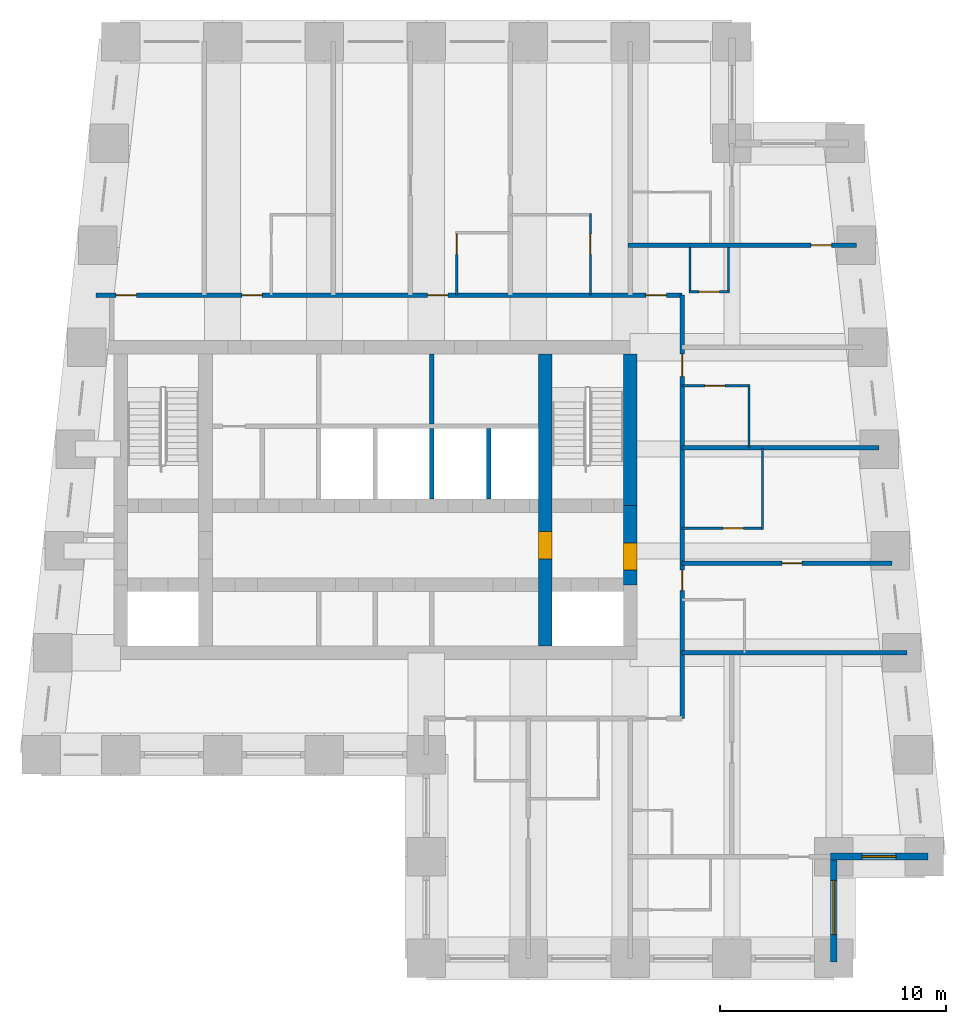
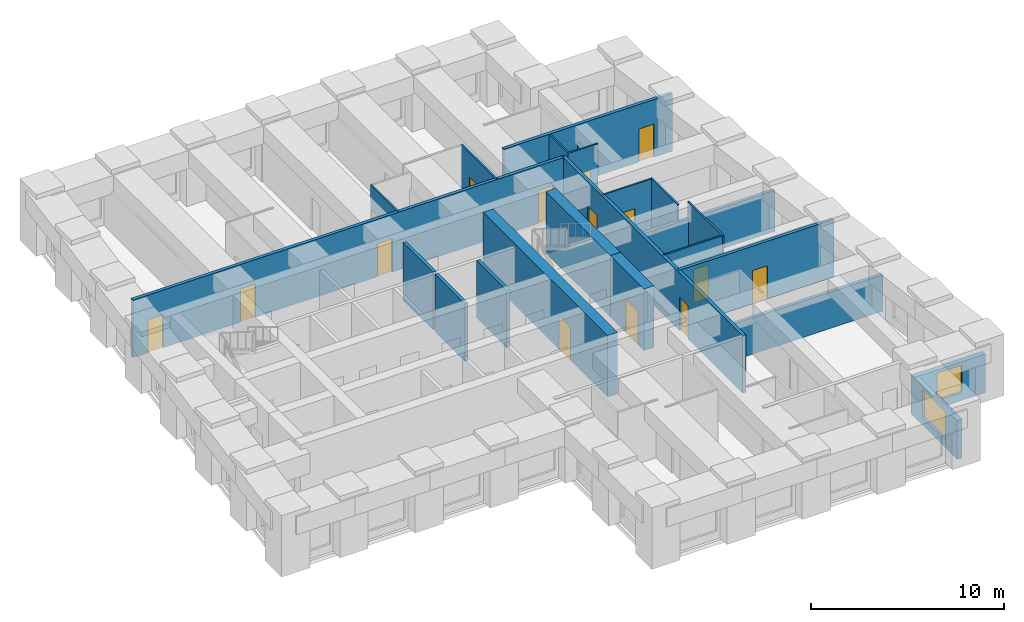
# One storey, part 4 of 7: 23 walls, 15 doors, 2 windows, 17 openings.
"""IFC4 building model written with IfcOpenShell, lengths in metres."""

from ifc_helpers import new_model, si_unit, direction, frame, frame_2d, origin, place, context, subcontext, project, spatial, rectangle, extrude, material, layer, layer_set, type_object, element, fill, save


model = new_model("IFC4")

# Units and contexts
model_context = context("Model", 3, precision=1e-05, world=origin(), true_north=direction((0.0, 1.0)))
body_context = subcontext(model_context, "Body", "Model", "MODEL_VIEW")
ifc_project = project(units=[si_unit("LENGTHUNIT", "METRE"), si_unit("AREAUNIT", "SQUARE_METRE"), si_unit("VOLUMEUNIT", "CUBIC_METRE"), si_unit("PLANEANGLEUNIT", "RADIAN"), si_unit("MASSUNIT", "GRAM", prefix="KILO")], contexts=[model_context])

# Site, building, storey
site_placement = place(None, origin())
site = spatial("IfcSite", under=ifc_project, at=site_placement, CompositionType="ELEMENT")
building_placement = place(site_placement, origin())
building = spatial("IfcBuilding", under=site, at=building_placement, Name="Kilele Tower Hotel", CompositionType="ELEMENT")
storey_placement = place(building_placement, frame((0.0, 0.0, 240.800048828125)))
storey = spatial("IfcBuildingStorey", under=building, at=storey_placement, Name="L62", CompositionType="ELEMENT", Elevation=240.800048828125)

# Wall
ifc_material_1 = material(Name="Moisture-resistant board")
ifc_layer_1 = layer(ifc_material_1, 0.10009765625)
ifc_layer_set_1 = layer_set([ifc_layer_1], Name="Moisture-resistant board")
wall_type_1 = type_object("IfcWallType", Name="Bathroom partition 100", PredefinedType="PLUMBINGWALL", material=ifc_layer_set_1)
wall_1_placement = place(storey_placement, frame((41.85009765625, 18.949951171875, 0.0), z_axis=(0.0, 0.0, 1.0), x_axis=(0.0, 1.0, 0.0)))
element("IfcWall", 1, at=wall_1_placement, inside=storey, type_object=wall_type_1, Name="Bathroom partition 100 L62", PredefinedType="PLUMBINGWALL", context=body_context, shape_type="SweptSolid", body=[
    extrude(rectangle(XDim=3.60009765625, YDim=0.10009765625, at=frame_2d((1.800048828125, 0.0))), origin(), (0.0, 0.0, 1.0), 3.64990234375),
])

# Wall, opening, door
wall_2_placement = place(storey_placement, frame((38.300048828125, 19.0, 0.0), z_axis=(0.0, 0.0, 1.0), x_axis=(1.0, 0.0, 0.0)))
wall_2 = element("IfcWall", 2, at=wall_2_placement, inside=storey, type_object=wall_type_1, Name="Bathroom partition 100 L62", PredefinedType="PLUMBINGWALL", context=body_context, shape_type="SweptSolid", body=[
    extrude(rectangle(XDim=3.599853515625, YDim=0.10009765625, at=frame_2d((1.7998046875, 0.0))), origin(), (0.0, 0.0, 1.0), 3.64990234375),
])
opening_1_placement = place(wall_2_placement, frame((2.699951171875, 0.0, 0.0), z_axis=(0.0, 0.0, 1.0), x_axis=(-1.0, 0.0, 0.0)))
opening_1 = element("IfcOpeningElement", 3, at=opening_1_placement, cuts=wall_2, Name="Opening D2A", PredefinedType="OPENING", context=body_context, shape_type="SweptSolid", body=[
    extrude(rectangle(XDim=0.89990234375, YDim=2.10009765625, at=frame_2d((0.449951171875, 1.050048828125))), frame((0.0, 0.06005859375, 0.0), z_axis=(0.0, -1.0, 0.0), x_axis=(1.0, 0.0, 0.0)), (0.0, 0.0, 1.0), 0.1201171875),
])
ifc_material_2 = material(Name="Timber door leaf in hardwood frame", Category="wood")
door_type_1 = type_object("IfcDoorType", Name="Bathroom door 900", OperationType="SINGLE_SWING_LEFT", PredefinedType="DOOR", material=ifc_material_2)
door_1_placement = place(opening_1_placement, origin())
door_1 = element("IfcDoor", 4, at=door_1_placement, inside=storey, type_object=door_type_1, Name="Bathroom door 6205B", OperationType="SINGLE_SWING_LEFT", OverallHeight=2.10009765625, OverallWidth=0.89990234375, PredefinedType="DOOR", context=body_context, shape_type="SweptSolid", body=[
    extrude(rectangle(XDim=0.89990234375, YDim=2.10009765625, at=frame_2d((0.449951171875, 1.050048828125))), frame((0.0, 0.02490234375, 0.0), z_axis=(0.0, -1.0, 0.0), x_axis=(1.0, 0.0, 0.0)), (0.0, 0.0, 1.0), 0.050048828125),
])
fill(opening_1, door_1)

# Wall
wall_3_placement = place(storey_placement, frame((41.25, 22.550048828125, 0.0), z_axis=(0.0, 0.0, 1.0), x_axis=(0.0, 1.0, 0.0)))
element("IfcWall", 5, at=wall_3_placement, inside=storey, type_object=wall_type_1, Name="Bathroom partition 100 L62", PredefinedType="PLUMBINGWALL", context=body_context, shape_type="SweptSolid", body=[
    extrude(rectangle(XDim=2.800048828125, YDim=0.10009765625, at=frame_2d((1.39990234375, 0.0))), origin(), (0.0, 0.0, 1.0), 3.64990234375),
])

# Wall, opening, door
wall_4_placement = place(storey_placement, frame((38.300048828125, 25.300048828125, 0.0), z_axis=(0.0, 0.0, 1.0), x_axis=(1.0, 0.0, 0.0)))
wall_4 = element("IfcWall", 6, at=wall_4_placement, inside=storey, type_object=wall_type_1, Name="Bathroom partition 100 L62", PredefinedType="PLUMBINGWALL", context=body_context, shape_type="SweptSolid", body=[
    extrude(rectangle(XDim=3.0, YDim=0.10009765625, at=frame_2d((1.5, 0.0))), origin(), (0.0, 0.0, 1.0), 3.64990234375),
])
opening_2_placement = place(wall_4_placement, frame((1.0, 0.0, 0.0)))
opening_2 = element("IfcOpeningElement", 7, at=opening_2_placement, cuts=wall_4, Name="Opening D2A", PredefinedType="OPENING", context=body_context, shape_type="SweptSolid", body=[
    extrude(rectangle(XDim=0.89990234375, YDim=2.10009765625, at=frame_2d((0.449951171875, 1.050048828125))), frame((0.0, 0.06005859375, 0.0), z_axis=(0.0, -1.0, 0.0), x_axis=(1.0, 0.0, 0.0)), (0.0, 0.0, 1.0), 0.1201171875),
])
door_2_placement = place(opening_2_placement, origin())
door_2 = element("IfcDoor", 8, at=door_2_placement, inside=storey, type_object=door_type_1, Name="Bathroom door 6206B", OperationType="SINGLE_SWING_LEFT", OverallHeight=2.10009765625, OverallWidth=0.89990234375, PredefinedType="DOOR", context=body_context, shape_type="SweptSolid", body=[
    extrude(rectangle(XDim=0.89990234375, YDim=2.10009765625, at=frame_2d((0.449951171875, 1.050048828125))), frame((0.0, 0.02490234375, 0.0), z_axis=(0.0, -1.0, 0.0), x_axis=(1.0, 0.0, 0.0)), (0.0, 0.0, 1.0), 0.050048828125),
])
fill(opening_2, door_2)

wall_5_placement = place(storey_placement, frame((28.35009765625, 29.300048828125, 0.0), z_axis=(0.0, 0.0, 1.0), x_axis=(0.0, 1.0, 0.0)))
wall_5 = element("IfcWall", 9, at=wall_5_placement, inside=storey, type_object=wall_type_1, Name="Bathroom partition 100 L62", PredefinedType="PLUMBINGWALL", context=body_context, shape_type="SweptSolid", body=[
    extrude(rectangle(XDim=2.800048828125, YDim=0.10009765625, at=frame_2d((1.39990234375, 0.0))), origin(), (0.0, 0.0, 1.0), 3.64990234375),
])
opening_3_placement = place(wall_5_placement, frame((1.800048828125, 0.0, 0.0)))
opening_3 = element("IfcOpeningElement", 10, at=opening_3_placement, cuts=wall_5, Name="Opening D2A", PredefinedType="OPENING", context=body_context, shape_type="SweptSolid", body=[
    extrude(rectangle(XDim=0.89990234375, YDim=2.10009765625, at=frame_2d((0.449951171875, 1.050048828125))), frame((0.0, 0.06005859375, 0.0), z_axis=(0.0, -1.0, 0.0), x_axis=(1.0, 0.0, 0.0)), (0.0, 0.0, 1.0), 0.1201171875),
])
door_3_placement = place(opening_3_placement, origin())
door_3 = element("IfcDoor", 11, at=door_3_placement, inside=storey, type_object=door_type_1, Name="Bathroom door 6210B", OperationType="SINGLE_SWING_RIGHT", OverallHeight=2.10009765625, OverallWidth=0.89990234375, PredefinedType="DOOR", context=body_context, shape_type="SweptSolid", body=[
    extrude(rectangle(XDim=0.89990234375, YDim=2.10009765625, at=frame_2d((0.449951171875, 1.050048828125))), frame((0.0, 0.02490234375, 0.0), z_axis=(0.0, -1.0, 0.0), x_axis=(1.0, 0.0, 0.0)), (0.0, 0.0, 1.0), 0.050048828125),
])
fill(opening_3, door_3)

wall_6_placement = place(storey_placement, frame((34.25, 29.300048828125, 0.0), z_axis=(0.0, 0.0, 1.0), x_axis=(0.0, 1.0, 0.0)))
wall_6 = element("IfcWall", 12, at=wall_6_placement, inside=storey, type_object=wall_type_1, Name="Bathroom partition 100 L62", PredefinedType="PLUMBINGWALL", context=body_context, shape_type="SweptSolid", body=[
    extrude(rectangle(XDim=3.599853515625, YDim=0.10009765625, at=frame_2d((1.7998046875, 0.0))), origin(), (0.0, 0.0, 1.0), 3.64990234375),
])
opening_4_placement = place(wall_6_placement, frame((2.699951171875, 0.0, 0.0), z_axis=(0.0, 0.0, 1.0), x_axis=(-1.0, 0.0, 0.0)))
opening_4 = element("IfcOpeningElement", 13, at=opening_4_placement, cuts=wall_6, Name="Opening D2A", PredefinedType="OPENING", context=body_context, shape_type="SweptSolid", body=[
    extrude(rectangle(XDim=0.89990234375, YDim=2.10009765625, at=frame_2d((0.449951171875, 1.050048828125))), frame((0.0, 0.06005859375, 0.0), z_axis=(0.0, -1.0, 0.0), x_axis=(1.0, 0.0, 0.0)), (0.0, 0.0, 1.0), 0.1201171875),
])
door_4_placement = place(opening_4_placement, origin())
door_4 = element("IfcDoor", 14, at=door_4_placement, inside=storey, type_object=door_type_1, Name="Bathroom door 6211B", OperationType="SINGLE_SWING_LEFT", OverallHeight=2.10009765625, OverallWidth=0.89990234375, PredefinedType="DOOR", context=body_context, shape_type="SweptSolid", body=[
    extrude(rectangle(XDim=0.89990234375, YDim=2.10009765625, at=frame_2d((0.449951171875, 1.050048828125))), frame((0.0, 0.02490234375, 0.0), z_axis=(0.0, -1.0, 0.0), x_axis=(1.0, 0.0, 0.0)), (0.0, 0.0, 1.0), 0.050048828125),
])
fill(opening_4, door_4)

# Walls
wall_7_placement = place(storey_placement, frame((40.35009765625, 31.39990234375, 0.0), z_axis=(0.0, 0.0, 1.0), x_axis=(0.0, -1.0, 0.0)))
element("IfcWall", 15, at=wall_7_placement, inside=storey, type_object=wall_type_1, Name="Bathroom partition 100 L62", PredefinedType="PLUMBINGWALL", context=body_context, shape_type="SweptSolid", body=[
    extrude(rectangle(XDim=2.0, YDim=0.10009765625, at=frame_2d((1.0, 0.0))), origin(), (0.0, 0.0, 1.0), 2.599853515625),
])
wall_8_placement = place(storey_placement, frame((38.64990234375, 31.39990234375, 0.0), z_axis=(0.0, 0.0, 1.0), x_axis=(0.0, -1.0, 0.0)))
element("IfcWall", 16, at=wall_8_placement, inside=storey, type_object=wall_type_1, Name="Bathroom partition 100 L62", PredefinedType="PLUMBINGWALL", context=body_context, shape_type="SweptSolid", body=[
    extrude(rectangle(XDim=2.0, YDim=0.10009765625, at=frame_2d((1.0, 0.0))), origin(), (0.0, 0.0, 1.0), 3.64990234375),
])

# Wall, opening, door
wall_9_placement = place(storey_placement, frame((38.60009765625, 29.449951171875, 0.0), z_axis=(0.0, 0.0, 1.0), x_axis=(1.0, 0.0, 0.0)))
wall_9 = element("IfcWall", 17, at=wall_9_placement, inside=storey, type_object=wall_type_1, Name="Bathroom partition 100 L62", PredefinedType="PLUMBINGWALL", context=body_context, shape_type="SweptSolid", body=[
    extrude(rectangle(XDim=1.7998046875, YDim=0.10009765625, at=frame_2d((0.89990234375, 0.0))), origin(), (0.0, 0.0, 1.0), 3.64990234375),
])
opening_5_placement = place(wall_9_placement, frame((1.349853515625, 0.0, 0.0), z_axis=(0.0, 0.0, 1.0), x_axis=(-1.0, 0.0, 0.0)))
opening_5 = element("IfcOpeningElement", 18, at=opening_5_placement, cuts=wall_9, Name="Opening D2A", PredefinedType="OPENING", context=body_context, shape_type="SweptSolid", body=[
    extrude(rectangle(XDim=0.89990234375, YDim=2.10009765625, at=frame_2d((0.449951171875, 1.050048828125))), frame((0.0, 0.06005859375, 0.0), z_axis=(0.0, -1.0, 0.0), x_axis=(1.0, 0.0, 0.0)), (0.0, 0.0, 1.0), 0.1201171875),
])
door_5_placement = place(opening_5_placement, origin())
door_5 = element("IfcDoor", 19, at=door_5_placement, inside=storey, type_object=door_type_1, Name="Bathroom door 6215P", OperationType="SINGLE_SWING_RIGHT", OverallHeight=2.10009765625, OverallWidth=0.89990234375, PredefinedType="DOOR", context=body_context, shape_type="SweptSolid", body=[
    extrude(rectangle(XDim=0.89990234375, YDim=2.10009765625, at=frame_2d((0.449951171875, 1.050048828125))), frame((0.0, 0.02490234375, 0.0), z_axis=(0.0, -1.0, 0.0), x_axis=(1.0, 0.0, 0.0)), (0.0, 0.0, 1.0), 0.050048828125),
])
fill(opening_5, door_5)

ifc_material_3 = material(Name="Concrete C60/75", Category="concrete")
ifc_layer_2 = layer(ifc_material_3, 0.60009765625)
ifc_layer_set_2 = layer_set([ifc_layer_2], Name="Concrete C60/75")
wall_type_2 = type_object("IfcWallType", Name="Core wall 600 C60/75", PredefinedType="SHEAR", material=ifc_layer_set_2)
wall_10_placement = place(storey_placement, frame((32.25, 13.800048828125, 0.0), z_axis=(0.0, 0.0, 1.0), x_axis=(0.0, 1.0, 0.0)))
wall_10 = element("IfcWall", 20, at=wall_10_placement, inside=storey, type_object=wall_type_2, Name="Core wall IE L62", PredefinedType="SHEAR", context=body_context, shape_type="SweptSolid", body=[
    extrude(rectangle(XDim=12.89990234375, YDim=0.60009765625, at=frame_2d((6.449951171875, 0.0))), origin(), (0.0, 0.0, 1.0), 3.89990234375),
])
opening_6_placement = place(wall_10_placement, frame((5.050048828125, 0.0, 0.0), z_axis=(0.0, 0.0, 1.0), x_axis=(-1.0, 0.0, 0.0)))
opening_6 = element("IfcOpeningElement", 21, at=opening_6_placement, cuts=wall_10, Name="Opening D4", PredefinedType="OPENING", context=body_context, shape_type="SweptSolid", body=[
    extrude(rectangle(XDim=1.199951171875, YDim=2.10009765625, at=frame_2d((0.60009765625, 1.050048828125))), frame((0.0, 0.31005859375, 0.0), z_axis=(0.0, -1.0, 0.0), x_axis=(1.0, 0.0, 0.0)), (0.0, 0.0, 1.0), 0.6201171875),
])
ifc_material_4 = material(Name="Timber door leaf in hardwood frame", Category="wood")
door_type_2 = type_object("IfcDoorType", Name="Firefighting lobby door 1200", OperationType="SINGLE_SWING_LEFT", PredefinedType="DOOR", material=ifc_material_4)
door_6_placement = place(opening_6_placement, origin())
door_6 = element("IfcDoor", 22, at=door_6_placement, inside=storey, type_object=door_type_2, Name="Lobby door L62", OperationType="SINGLE_SWING_RIGHT", OverallHeight=2.10009765625, OverallWidth=1.199951171875, PredefinedType="DOOR", context=body_context, shape_type="SweptSolid", body=[
    extrude(rectangle(XDim=1.199951171875, YDim=2.10009765625, at=frame_2d((0.60009765625, 1.050048828125))), frame((0.0, 0.2998046875, 0.0), z_axis=(0.0, -1.0, 0.0), x_axis=(1.0, 0.0, 0.0)), (0.0, 0.0, 1.0), 0.599609375),
])
fill(opening_6, door_6)

wall_11_placement = place(storey_placement, frame((36.0, 16.5, 0.0), z_axis=(0.0, 0.0, 1.0), x_axis=(0.0, 1.0, 0.0)))
wall_11 = element("IfcWall", 23, at=wall_11_placement, inside=storey, type_object=wall_type_2, Name="Core wall E2 L62", PredefinedType="SHEAR", context=body_context, shape_type="SweptSolid", body=[
    extrude(rectangle(XDim=3.5, YDim=0.60009765625, at=frame_2d((1.75, 0.0))), origin(), (0.0, 0.0, 1.0), 3.89990234375),
])
opening_7_placement = place(wall_11_placement, frame((0.64990234375, 0.0, 0.0)))
opening_7 = element("IfcOpeningElement", 24, at=opening_7_placement, cuts=wall_11, Name="Opening D4", PredefinedType="OPENING", context=body_context, shape_type="SweptSolid", body=[
    extrude(rectangle(XDim=1.199951171875, YDim=2.10009765625, at=frame_2d((0.60009765625, 1.050048828125))), frame((0.0, 0.31005859375, 0.0), z_axis=(0.0, -1.0, 0.0), x_axis=(1.0, 0.0, 0.0)), (0.0, 0.0, 1.0), 0.6201171875),
])
door_7_placement = place(opening_7_placement, origin())
door_7 = element("IfcDoor", 25, at=door_7_placement, inside=storey, type_object=door_type_2, Name="Lobby door L62", OperationType="SINGLE_SWING_LEFT", OverallHeight=2.10009765625, OverallWidth=1.199951171875, PredefinedType="DOOR", context=body_context, shape_type="SweptSolid", body=[
    extrude(rectangle(XDim=1.199951171875, YDim=2.10009765625, at=frame_2d((0.60009765625, 1.050048828125))), frame((0.0, 0.2998046875, 0.0), z_axis=(0.0, -1.0, 0.0), x_axis=(1.0, 0.0, 0.0)), (0.0, 0.0, 1.0), 0.599609375),
])
fill(opening_7, door_7)

# Wall
wall_12_placement = place(storey_placement, frame((36.0, 20.0, 0.0), z_axis=(0.0, 0.0, 1.0), x_axis=(0.0, 1.0, 0.0)))
element("IfcWall", 26, at=wall_12_placement, inside=storey, type_object=wall_type_2, Name="Core wall E3 L62", PredefinedType="SHEAR", context=body_context, shape_type="SweptSolid", body=[
    extrude(rectangle(XDim=6.699951171875, YDim=0.60009765625, at=frame_2d((3.35009765625, 0.0))), origin(), (0.0, 0.0, 1.0), 3.89990234375),
])

# Wall, openings, doors
ifc_material_5 = material(Name="Blockwork, plastered both sides", Category="masonry")
ifc_layer_3 = layer(ifc_material_5, 0.199951171875)
ifc_layer_set_3 = layer_set([ifc_layer_3], Name="Blockwork, plastered both sides")
wall_type_3 = type_object("IfcWallType", Name="Corridor wall 200", PredefinedType="PARTITIONING", material=ifc_layer_set_3)
wall_13_placement = place(storey_placement, frame((12.406494140625, 29.300048828125, 0.0), z_axis=(0.0, 0.0, 1.0), x_axis=(1.0, 0.0, 0.0)))
wall_13 = element("IfcWall", 27, at=wall_13_placement, inside=storey, type_object=wall_type_3, Name="Corridor wall 200 L62", PredefinedType="PARTITIONING", context=body_context, shape_type="SweptSolid", body=[
    extrude(rectangle(XDim=25.8935546875, YDim=0.199951171875, at=frame_2d((12.94677734375, 0.0))), origin(), (0.0, 0.0, 1.0), 3.64990234375),
])
opening_8_placement = place(wall_13_placement, frame((0.89990234375, 0.0, 0.0)))
opening_8 = element("IfcOpeningElement", 28, at=opening_8_placement, cuts=wall_13, Name="Opening D1", PredefinedType="OPENING", context=body_context, shape_type="SweptSolid", body=[
    extrude(rectangle(XDim=0.89990234375, YDim=2.10009765625, at=frame_2d((0.449951171875, 1.050048828125))), frame((0.0, 0.10986328125, 0.0), z_axis=(0.0, -1.0, 0.0), x_axis=(1.0, 0.0, 0.0)), (0.0, 0.0, 1.0), 0.219970703125),
])
opening_9_placement = place(wall_13_placement, frame((6.443603515625, 0.0, 0.0)))
opening_9 = element("IfcOpeningElement", 29, at=opening_9_placement, cuts=wall_13, Name="Opening D1", PredefinedType="OPENING", context=body_context, shape_type="SweptSolid", body=[
    extrude(rectangle(XDim=0.89990234375, YDim=2.10009765625, at=frame_2d((0.449951171875, 1.050048828125))), frame((0.0, 0.10986328125, 0.0), z_axis=(0.0, -1.0, 0.0), x_axis=(1.0, 0.0, 0.0)), (0.0, 0.0, 1.0), 0.219970703125),
])
opening_10_placement = place(wall_13_placement, frame((14.6435546875, 0.0, 0.0)))
opening_10 = element("IfcOpeningElement", 30, at=opening_10_placement, cuts=wall_13, Name="Opening D1", PredefinedType="OPENING", context=body_context, shape_type="SweptSolid", body=[
    extrude(rectangle(XDim=0.89990234375, YDim=2.10009765625, at=frame_2d((0.449951171875, 1.050048828125))), frame((0.0, 0.10986328125, 0.0), z_axis=(0.0, -1.0, 0.0), x_axis=(1.0, 0.0, 0.0)), (0.0, 0.0, 1.0), 0.219970703125),
])
opening_11_placement = place(wall_13_placement, frame((24.29345703125, 0.0, 0.0)))
opening_11 = element("IfcOpeningElement", 31, at=opening_11_placement, cuts=wall_13, Name="Opening D1", PredefinedType="OPENING", context=body_context, shape_type="SweptSolid", body=[
    extrude(rectangle(XDim=0.89990234375, YDim=2.10009765625, at=frame_2d((0.449951171875, 1.050048828125))), frame((0.0, 0.10986328125, 0.0), z_axis=(0.0, -1.0, 0.0), x_axis=(1.0, 0.0, 0.0)), (0.0, 0.0, 1.0), 0.219970703125),
])
ifc_material_6 = material(Name="Timber door leaf in hardwood frame", Category="wood")
door_type_3 = type_object("IfcDoorType", Name="Guest room entrance door 900", OperationType="SINGLE_SWING_LEFT", PredefinedType="DOOR", material=ifc_material_6)
door_8_placement = place(opening_8_placement, origin())
door_8 = element("IfcDoor", 32, at=door_8_placement, inside=storey, type_object=door_type_3, Name="Room entrance 6207", OperationType="SINGLE_SWING_LEFT", OverallHeight=2.10009765625, OverallWidth=0.89990234375, PredefinedType="DOOR", context=body_context, shape_type="SweptSolid", body=[
    extrude(rectangle(XDim=0.89990234375, YDim=2.10009765625, at=frame_2d((0.449951171875, 1.050048828125))), frame((0.0, 0.02490234375, 0.0), z_axis=(0.0, -1.0, 0.0), x_axis=(1.0, 0.0, 0.0)), (0.0, 0.0, 1.0), 0.050048828125),
])
fill(opening_8, door_8)
door_9_placement = place(opening_9_placement, origin())
door_9 = element("IfcDoor", 33, at=door_9_placement, inside=storey, type_object=door_type_3, Name="Room entrance 6208", OperationType="SINGLE_SWING_RIGHT", OverallHeight=2.10009765625, OverallWidth=0.89990234375, PredefinedType="DOOR", context=body_context, shape_type="SweptSolid", body=[
    extrude(rectangle(XDim=0.89990234375, YDim=2.10009765625, at=frame_2d((0.449951171875, 1.050048828125))), frame((0.0, 0.02490234375, 0.0), z_axis=(0.0, -1.0, 0.0), x_axis=(1.0, 0.0, 0.0)), (0.0, 0.0, 1.0), 0.050048828125),
])
fill(opening_9, door_9)
door_10_placement = place(opening_10_placement, origin())
door_10 = element("IfcDoor", 34, at=door_10_placement, inside=storey, type_object=door_type_3, Name="Room entrance 6210", OperationType="SINGLE_SWING_RIGHT", OverallHeight=2.10009765625, OverallWidth=0.89990234375, PredefinedType="DOOR", context=body_context, shape_type="SweptSolid", body=[
    extrude(rectangle(XDim=0.89990234375, YDim=2.10009765625, at=frame_2d((0.449951171875, 1.050048828125))), frame((0.0, 0.02490234375, 0.0), z_axis=(0.0, -1.0, 0.0), x_axis=(1.0, 0.0, 0.0)), (0.0, 0.0, 1.0), 0.050048828125),
])
fill(opening_10, door_10)
door_11_placement = place(opening_11_placement, origin())
door_11 = element("IfcDoor", 35, at=door_11_placement, inside=storey, type_object=door_type_3, Name="Room entrance 6215", OperationType="SINGLE_SWING_LEFT", OverallHeight=2.10009765625, OverallWidth=0.89990234375, PredefinedType="DOOR", context=body_context, shape_type="SweptSolid", body=[
    extrude(rectangle(XDim=0.89990234375, YDim=2.10009765625, at=frame_2d((0.449951171875, 1.050048828125))), frame((0.0, 0.02490234375, 0.0), z_axis=(0.0, -1.0, 0.0), x_axis=(1.0, 0.0, 0.0)), (0.0, 0.0, 1.0), 0.050048828125),
])
fill(opening_11, door_11)

wall_14_placement = place(storey_placement, frame((38.300048828125, 10.60009765625, 0.0), z_axis=(0.0, 0.0, 1.0), x_axis=(0.0, 1.0, 0.0)))
wall_14 = element("IfcWall", 36, at=wall_14_placement, inside=storey, type_object=wall_type_3, Name="Corridor wall 200 L62", PredefinedType="PARTITIONING", context=body_context, shape_type="SweptSolid", body=[
    extrude(rectangle(XDim=18.699951171875, YDim=0.199951171875, at=frame_2d((9.35009765625, 0.0))), origin(), (0.0, 0.0, 1.0), 3.64990234375),
])
opening_12_placement = place(wall_14_placement, frame((6.5498046875, 0.0, 0.0), z_axis=(0.0, 0.0, 1.0), x_axis=(-1.0, 0.0, 0.0)))
opening_12 = element("IfcOpeningElement", 37, at=opening_12_placement, cuts=wall_14, Name="Opening D1", PredefinedType="OPENING", context=body_context, shape_type="SweptSolid", body=[
    extrude(rectangle(XDim=0.89990234375, YDim=2.10009765625, at=frame_2d((0.449951171875, 1.050048828125))), frame((0.0, 0.10986328125, 0.0), z_axis=(0.0, -1.0, 0.0), x_axis=(1.0, 0.0, 0.0)), (0.0, 0.0, 1.0), 0.219970703125),
])
opening_13_placement = place(wall_14_placement, frame((16.10009765625, 0.0, 0.0), z_axis=(0.0, 0.0, 1.0), x_axis=(-1.0, 0.0, 0.0)))
opening_13 = element("IfcOpeningElement", 38, at=opening_13_placement, cuts=wall_14, Name="Opening D1A", PredefinedType="OPENING", context=body_context, shape_type="SweptSolid", body=[
    extrude(rectangle(XDim=1.0, YDim=2.10009765625, at=frame_2d((0.5, 1.050048828125))), frame((0.0, 0.10986328125, 0.0), z_axis=(0.0, -1.0, 0.0), x_axis=(1.0, 0.0, 0.0)), (0.0, 0.0, 1.0), 0.219970703125),
])
ifc_material_7 = material(Name="Timber door leaf in hardwood frame", Category="wood")
door_type_4 = type_object("IfcDoorType", Name="Guest room entrance door 1000", OperationType="SINGLE_SWING_LEFT", PredefinedType="DOOR", material=ifc_material_7)
door_12_placement = place(opening_13_placement, origin())
door_12 = element("IfcDoor", 39, at=door_12_placement, inside=storey, type_object=door_type_4, Name="Room entrance 6206", OperationType="SINGLE_SWING_LEFT", OverallHeight=2.10009765625, OverallWidth=1.0, PredefinedType="DOOR", context=body_context, shape_type="SweptSolid", body=[
    extrude(rectangle(XDim=1.0, YDim=2.10009765625, at=frame_2d((0.5, 1.050048828125))), frame((0.0, 0.02490234375, 0.0), z_axis=(0.0, -1.0, 0.0), x_axis=(1.0, 0.0, 0.0)), (0.0, 0.0, 1.0), 0.050048828125),
])
fill(opening_13, door_12)
door_13_placement = place(opening_12_placement, origin())
door_13 = element("IfcDoor", 40, at=door_13_placement, inside=storey, type_object=door_type_3, Name="Room entrance 6204", OperationType="SINGLE_SWING_LEFT", OverallHeight=2.10009765625, OverallWidth=0.89990234375, PredefinedType="DOOR", context=body_context, shape_type="SweptSolid", body=[
    extrude(rectangle(XDim=0.89990234375, YDim=2.10009765625, at=frame_2d((0.449951171875, 1.050048828125))), frame((0.0, 0.02490234375, 0.0), z_axis=(0.0, -1.0, 0.0), x_axis=(1.0, 0.0, 0.0)), (0.0, 0.0, 1.0), 0.050048828125),
])
fill(opening_12, door_13)

# Wall, opening, door
ifc_material_8 = material(Name="Blockwork, plastered both sides", Category="masonry")
ifc_layer_4 = layer(ifc_material_8, 0.199951171875)
ifc_layer_set_4 = layer_set([ifc_layer_4], Name="Blockwork, plastered both sides")
wall_type_4 = type_object("IfcWallType", Name="Party wall 200", PredefinedType="PARTITIONING", material=ifc_layer_set_4)
wall_15_placement = place(storey_placement, frame((38.300048828125, 17.449951171875, 0.0), z_axis=(0.0, 0.0, 1.0), x_axis=(1.0, 0.0, 0.0)))
wall_15 = element("IfcWall", 41, at=wall_15_placement, inside=storey, type_object=wall_type_4, Name="Party wall 200 L62", PredefinedType="PARTITIONING", context=body_context, shape_type="SweptSolid", body=[
    extrude(rectangle(XDim=9.26025390625, YDim=0.199951171875, at=frame_2d((4.630126953125, 0.0))), origin(), (0.0, 0.0, 1.0), 3.64990234375),
])
opening_14_placement = place(wall_15_placement, frame((4.39990234375, 0.0, 0.0)))
opening_14 = element("IfcOpeningElement", 42, at=opening_14_placement, cuts=wall_15, Name="Opening D3", PredefinedType="OPENING", context=body_context, shape_type="SweptSolid", body=[
    extrude(rectangle(XDim=0.89990234375, YDim=2.10009765625, at=frame_2d((0.449951171875, 1.050048828125))), frame((0.0, 0.10986328125, 0.0), z_axis=(0.0, -1.0, 0.0), x_axis=(1.0, 0.0, 0.0)), (0.0, 0.0, 1.0), 0.219970703125),
])
ifc_material_9 = material(Name="Timber door leaf in hardwood frame", Category="wood")
door_type_5 = type_object("IfcDoorType", Name="Suite internal door 900", OperationType="SINGLE_SWING_LEFT", PredefinedType="DOOR", material=ifc_material_9)
door_14_placement = place(opening_14_placement, origin())
door_14 = element("IfcDoor", 43, at=door_14_placement, inside=storey, type_object=door_type_5, Name="Suite door 6205", OperationType="SINGLE_SWING_RIGHT", OverallHeight=2.10009765625, OverallWidth=0.89990234375, PredefinedType="DOOR", context=body_context, shape_type="SweptSolid", body=[
    extrude(rectangle(XDim=0.89990234375, YDim=2.10009765625, at=frame_2d((0.449951171875, 1.050048828125))), frame((0.0, 0.02490234375, 0.0), z_axis=(0.0, -1.0, 0.0), x_axis=(1.0, 0.0, 0.0)), (0.0, 0.0, 1.0), 0.050048828125),
])
fill(opening_14, door_14)

# Walls
wall_16_placement = place(storey_placement, frame((38.300048828125, 22.550048828125, 0.0), z_axis=(0.0, 0.0, 1.0), x_axis=(1.0, 0.0, 0.0)))
element("IfcWall", 44, at=wall_16_placement, inside=storey, type_object=wall_type_4, Name="Party wall 200 L62", PredefinedType="PARTITIONING", context=body_context, shape_type="SweptSolid", body=[
    extrude(rectangle(XDim=8.693359375, YDim=0.199951171875, at=frame_2d((4.3466796875, 0.0))), origin(), (0.0, 0.0, 1.0), 2.599853515625),
])
wall_17_placement = place(storey_placement, frame((38.300048828125, 13.5, 0.0), z_axis=(0.0, 0.0, 1.0), x_axis=(1.0, 0.0, 0.0)))
element("IfcWall", 45, at=wall_17_placement, inside=storey, type_object=wall_type_4, Name="Party wall 200 L62", PredefinedType="PARTITIONING", context=body_context, shape_type="SweptSolid", body=[
    extrude(rectangle(XDim=9.921142578125, YDim=0.199951171875, at=frame_2d((4.96044921875, 0.0))), origin(), (0.0, 0.0, 1.0), 2.300048828125),
])

# Wall, opening, door
wall_18_placement = place(storey_placement, frame((35.89990234375, 31.5, 0.0), z_axis=(0.0, 0.0, 1.0), x_axis=(1.0, 0.0, 0.0)))
wall_18 = element("IfcWall", 46, at=wall_18_placement, inside=storey, type_object=wall_type_4, Name="Party wall 200 L62", PredefinedType="PARTITIONING", context=body_context, shape_type="SweptSolid", body=[
    extrude(rectangle(XDim=10.09912109375, YDim=0.199951171875, at=frame_2d((5.049560546875, 0.0))), origin(), (0.0, 0.0, 1.0), 3.64990234375),
])
opening_15_placement = place(wall_18_placement, frame((8.09912109375, 0.0, 0.0)))
opening_15 = element("IfcOpeningElement", 47, at=opening_15_placement, cuts=wall_18, Name="Opening D3", PredefinedType="OPENING", context=body_context, shape_type="SweptSolid", body=[
    extrude(rectangle(XDim=0.89990234375, YDim=2.10009765625, at=frame_2d((0.449951171875, 1.050048828125))), frame((0.0, 0.10986328125, 0.0), z_axis=(0.0, -1.0, 0.0), x_axis=(1.0, 0.0, 0.0)), (0.0, 0.0, 1.0), 0.219970703125),
])
door_15_placement = place(opening_15_placement, origin())
door_15 = element("IfcDoor", 48, at=door_15_placement, inside=storey, type_object=door_type_5, Name="Suite door 6216", OperationType="SINGLE_SWING_RIGHT", OverallHeight=2.10009765625, OverallWidth=0.89990234375, PredefinedType="DOOR", context=body_context, shape_type="SweptSolid", body=[
    extrude(rectangle(XDim=0.89990234375, YDim=2.10009765625, at=frame_2d((0.449951171875, 1.050048828125))), frame((0.0, 0.02490234375, 0.0), z_axis=(0.0, -1.0, 0.0), x_axis=(1.0, 0.0, 0.0)), (0.0, 0.0, 1.0), 0.050048828125),
])
fill(opening_15, door_15)

# Wall, opening, window
ifc_material_10 = material(Name="Concrete C40/50 precast", Category="concrete")
ifc_layer_5 = layer(ifc_material_10, 0.260009765625, Name="Precast backing", Category="LoadBearing")
ifc_material_11 = material(Name="Reconstituted stone finish", Category="masonry")
ifc_layer_6 = layer(ifc_material_11, 0.0400390625, Name="Face mix", Category="Finish")
ifc_layer_set_5 = layer_set([ifc_layer_5, ifc_layer_6], Name="Precast concrete C40/50, reconstituted stone finish")
wall_type_5 = type_object("IfcWallType", Name="Precast stone facade wall 300", PredefinedType="STANDARD", material=ifc_layer_set_5)
wall_19_placement = place(storey_placement, frame((45.0, -0.14990234375, 0.0), z_axis=(0.0, 0.0, 1.0), x_axis=(0.0, 1.0, 0.0)))
wall_19 = element("IfcWall", 49, at=wall_19_placement, inside=storey, type_object=wall_type_5, Name="Facade wall L62 edge 4", PredefinedType="STANDARD", context=body_context, shape_type="SweptSolid", body=[
    extrude(rectangle(XDim=4.7998046875, YDim=0.300048828125, at=frame_2d((2.39990234375, 0.0))), origin(), (0.0, 0.0, 1.0), 2.449951171875),
])
opening_16_placement = place(wall_19_placement, frame((1.199951171875, 0.0, 0.5)))
opening_16 = element("IfcOpeningElement", 50, at=opening_16_placement, cuts=wall_19, Name="Opening W4", PredefinedType="OPENING", context=body_context, shape_type="SweptSolid", body=[
    extrude(rectangle(XDim=2.39990234375, YDim=1.75, at=frame_2d((1.199951171875, 0.875))), frame((0.0, 0.159912109375, 0.0), z_axis=(0.0, -1.0, 0.0), x_axis=(1.0, 0.0, 0.0)), (0.0, 0.0, 1.0), 0.320068359375),
])
ifc_material_12 = material(Name="Aluminium frame, clear double glazing", Category="aluminium")
window_type_1 = type_object("IfcWindowType", Name="Window W4 2400 x 1750", PartitioningType="SINGLE_PANEL", PredefinedType="WINDOW", material=ifc_material_12)
window_1_placement = place(opening_16_placement, origin())
window_1 = element("IfcWindow", 51, at=window_1_placement, inside=storey, type_object=window_type_1, Name="Window L62", OverallHeight=1.75, OverallWidth=2.39990234375, PartitioningType="SINGLE_PANEL", PredefinedType="WINDOW", context=body_context, shape_type="SweptSolid", body=[
    extrude(rectangle(XDim=2.39990234375, YDim=1.75, at=frame_2d((1.199951171875, 0.875))), frame((0.0, 0.030029296875, 0.0), z_axis=(0.0, -1.0, 0.0), x_axis=(1.0, 0.0, 0.0)), (0.0, 0.0, 1.0), 0.06005859375),
])
fill(opening_16, window_1)

wall_20_placement = place(storey_placement, frame((44.85009765625, 4.5, 0.0), z_axis=(0.0, 0.0, 1.0), x_axis=(1.0, 0.0, 0.0)))
wall_20 = element("IfcWall", 52, at=wall_20_placement, inside=storey, type_object=wall_type_5, Name="Facade wall L62 edge 5", PredefinedType="STANDARD", context=body_context, shape_type="SweptSolid", body=[
    extrude(rectangle(XDim=4.2998046875, YDim=0.300048828125, at=frame_2d((2.14990234375, 0.0))), origin(), (0.0, 0.0, 1.0), 2.449951171875),
])
opening_17_placement = place(wall_20_placement, frame((1.39990234375, 0.0, 0.5)))
opening_17 = element("IfcOpeningElement", 53, at=opening_17_placement, cuts=wall_20, Name="Opening W4", PredefinedType="OPENING", context=body_context, shape_type="SweptSolid", body=[
    extrude(rectangle(XDim=1.5, YDim=1.75, at=frame_2d((0.75, 0.875))), frame((0.0, 0.159912109375, 0.0), z_axis=(0.0, -1.0, 0.0), x_axis=(1.0, 0.0, 0.0)), (0.0, 0.0, 1.0), 0.320068359375),
])
ifc_material_13 = material(Name="Aluminium frame, clear double glazing", Category="aluminium")
window_type_2 = type_object("IfcWindowType", Name="Window W4 1500 x 1750", PartitioningType="SINGLE_PANEL", PredefinedType="WINDOW", material=ifc_material_13)
window_2_placement = place(opening_17_placement, origin())
window_2 = element("IfcWindow", 54, at=window_2_placement, inside=storey, type_object=window_type_2, Name="Window L62", OverallHeight=1.75, OverallWidth=1.5, PartitioningType="SINGLE_PANEL", PredefinedType="WINDOW", context=body_context, shape_type="SweptSolid", body=[
    extrude(rectangle(XDim=1.5, YDim=1.75, at=frame_2d((0.75, 0.875))), frame((0.0, 0.030029296875, 0.0), z_axis=(0.0, -1.0, 0.0), x_axis=(1.0, 0.0, 0.0)), (0.0, 0.0, 1.0), 0.06005859375),
])
fill(opening_17, window_2)

# Walls
ifc_material_14 = material(Name="Blockwork, fire-rated", Category="masonry")
ifc_layer_7 = layer(ifc_material_14, 0.199951171875)
ifc_layer_set_6 = layer_set([ifc_layer_7], Name="Blockwork, fire-rated")
wall_type_6 = type_object("IfcWallType", Name="Shaft wall 200", PredefinedType="PARTITIONING", material=ifc_layer_set_6)
for number, where, z_axis, x_axis, name in (
    (55, (27.25, 20.300048828125, 0.0), (0.0, 0.0, 1.0), (0.0, 1.0, 0.0), "Shaft wall 200 L62"),
    (56, (29.75, 20.300048828125, 0.0), (0.0, 0.0, 1.0), (0.0, 1.0, 0.0), "Shaft wall 200 L62"),
    (57, (27.25, 23.60009765625, 0.0), (0.0, 0.0, 1.0), (0.0, 1.0, 0.0), "Shaft wall 200 L62"),
):
    element("IfcWall", number, at=place(storey_placement, frame(where, z_axis=z_axis, x_axis=x_axis)), inside=storey, type_object=wall_type_6, Name=name, PredefinedType="PARTITIONING", context=body_context, shape_type="SweptSolid", body=[
        extrude(rectangle(XDim=3.099853515625, YDim=0.199951171875, at=frame_2d((1.5498046875, 0.0))), origin(), (0.0, 0.0, 1.0), 3.64990234375),
    ])

save(model, "model.ifc")
